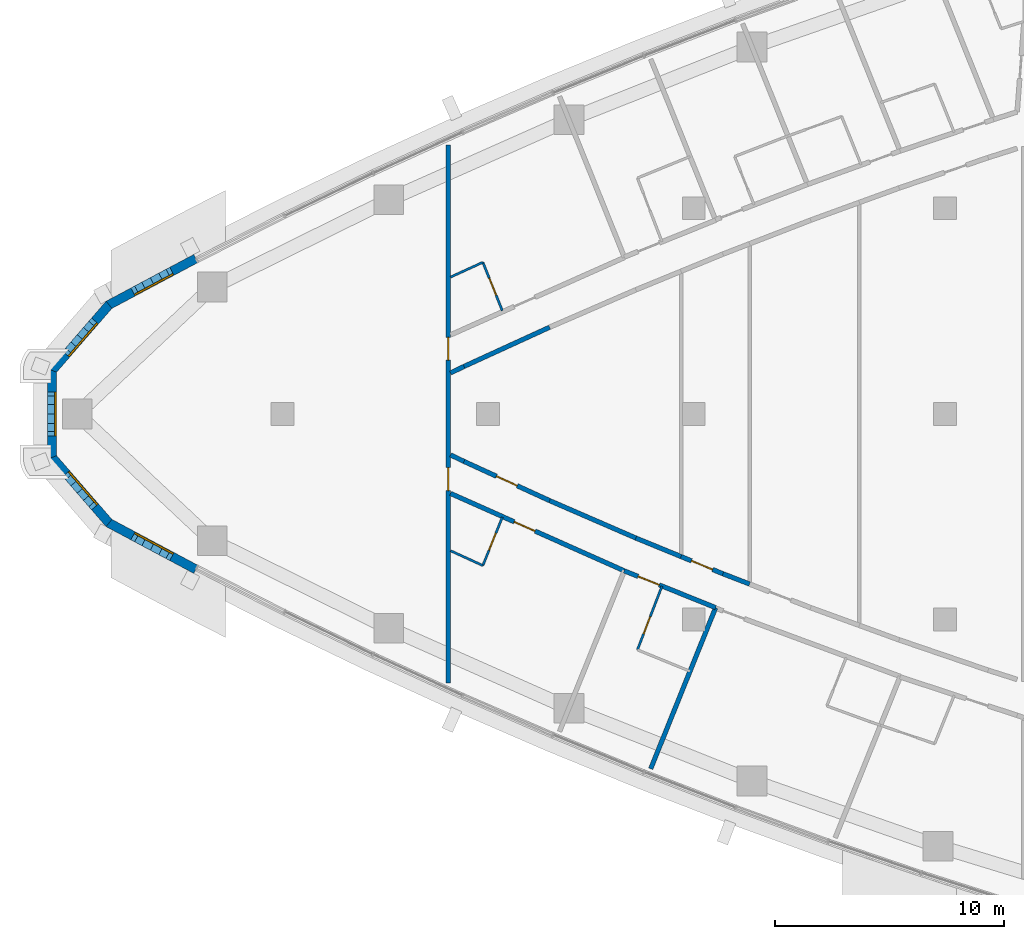
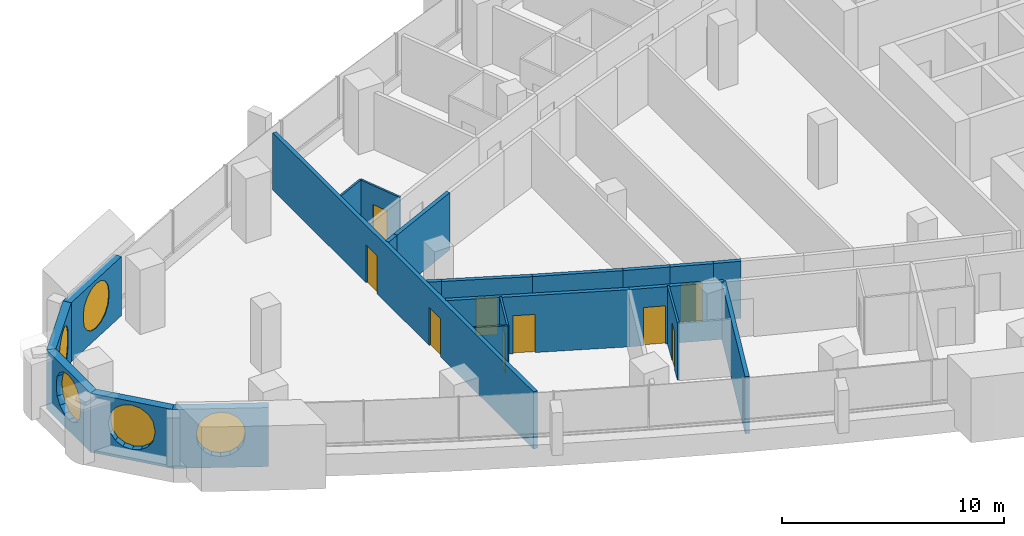
# One storey, part 9 of 17: 22 walls, 9 doors, 5 windows, 14 openings.
"""IFC4 building model written with IfcOpenShell, lengths in metres."""

from ifc_helpers import new_model, si_unit, direction, frame, frame_2d, origin, place, context, subcontext, project, spatial, polyline, rectangle, outline, extrude, material, layer, layer_set, type_object, element, fill, save


model = new_model("IFC4")

# Units and contexts
model_context = context("Model", 3, precision=1e-05, world=origin(), true_north=direction((0.0, 1.0)))
body_context = subcontext(model_context, "Body", "Model", "MODEL_VIEW")
ifc_project = project(units=[si_unit("LENGTHUNIT", "METRE"), si_unit("AREAUNIT", "SQUARE_METRE"), si_unit("VOLUMEUNIT", "CUBIC_METRE"), si_unit("PLANEANGLEUNIT", "RADIAN"), si_unit("MASSUNIT", "GRAM", prefix="KILO")], contexts=[model_context])

# Site, building, storey
site_placement = place(None, origin())
site = spatial("IfcSite", under=ifc_project, at=site_placement, CompositionType="ELEMENT")
building_placement = place(site_placement, origin())
building = spatial("IfcBuilding", under=site, at=building_placement, Name="Ostrand Prow Hotel Tower", CompositionType="ELEMENT")
storey_placement = place(building_placement, frame((0.0, 0.0, 207.449951171875)))
storey = spatial("IfcBuildingStorey", under=building, at=storey_placement, Name="L52", CompositionType="ELEMENT", Elevation=207.449951171875)

# Wall
ifc_material_1 = material(Name="Plasterboard partition")
ifc_layer_1 = layer(ifc_material_1, 0.10009765625)
ifc_layer_set_1 = layer_set([ifc_layer_1], Name="Plasterboard partition")
wall_type_1 = type_object("IfcWallType", Name="Partition 100 bathroom wall", PredefinedType="PARTITIONING", material=ifc_layer_set_1)
wall_1_placement = place(storey_placement, frame((23.35400390625, 5.9873046875, 0.0), z_axis=(0.0, 0.0, 1.0), x_axis=(0.909158902999, 0.416449383597, 0.0)))
element("IfcWall", 1, at=wall_1_placement, inside=storey, type_object=wall_type_1, Name="BATHROOM WALL", PredefinedType="PARTITIONING", context=body_context, shape_type="SweptSolid", body=[
    extrude(rectangle(XDim=1.555908203125, YDim=0.10009765625, at=frame_2d((0.77783203125, 0.0))), origin(), (0.0, 0.0, 1.0), 3.150146484375),
])

# Wall, opening, door
wall_2_placement = place(storey_placement, frame((24.7685546875, 6.635009765625, 0.0), z_axis=(0.0, 0.0, 1.0), x_axis=(0.373956446544, -0.927446265877, 0.0)))
wall_2 = element("IfcWall", 2, at=wall_2_placement, inside=storey, type_object=wall_type_1, Name="BATHROOM WALL", PredefinedType="PARTITIONING", context=body_context, shape_type="SweptSolid", body=[
    extrude(rectangle(XDim=2.279052734375, YDim=0.10009765625, at=frame_2d((1.1396484375, 0.0))), origin(), (0.0, 0.0, 1.0), 3.150146484375),
])
opening_1_placement = place(wall_2_placement, frame((0.75, 0.0, 0.0)))
opening_1 = element("IfcOpeningElement", 3, at=opening_1_placement, cuts=wall_2, Name="Opening D2", PredefinedType="OPENING", context=body_context, shape_type="SweptSolid", body=[
    extrude(rectangle(XDim=0.800048828125, YDim=2.10009765625, at=frame_2d((0.39990234375, 1.050048828125))), frame((0.0, 0.06005859375, 0.0), z_axis=(0.0, -1.0, 0.0), x_axis=(1.0, 0.0, 0.0)), (0.0, 0.0, 1.0), 0.1201171875),
])
ifc_material_2 = material(Name="Timber door leaf", Category="wood")
door_type_1 = type_object("IfcDoorType", Name="Bathroom door 800", OperationType="SINGLE_SWING_LEFT", PredefinedType="DOOR", material=ifc_material_2)
door_1_placement = place(opening_1_placement, origin())
door_1 = element("IfcDoor", 4, at=door_1_placement, inside=storey, type_object=door_type_1, Name="DOOR", OperationType="SINGLE_SWING_LEFT", OverallHeight=2.10009765625, OverallWidth=0.800048828125, PredefinedType="DOOR", context=body_context, shape_type="SweptSolid", body=[
    extrude(rectangle(XDim=0.800048828125, YDim=2.10009765625, at=frame_2d((0.39990234375, 1.050048828125))), frame((0.0, 0.02490234375, 0.0), z_axis=(0.0, -1.0, 0.0), x_axis=(1.0, 0.0, 0.0)), (0.0, 0.0, 1.0), 0.050048828125),
])
fill(opening_1, door_1)

wall_3_placement = place(storey_placement, frame((25.620849609375, -4.521240234375, 0.0), z_axis=(0.0, 0.0, 1.0), x_axis=(-0.373956446544, -0.927446265877, 0.0)))
wall_3 = element("IfcWall", 5, at=wall_3_placement, inside=storey, type_object=wall_type_1, Name="BATHROOM WALL", PredefinedType="PARTITIONING", context=body_context, shape_type="SweptSolid", body=[
    extrude(rectangle(XDim=2.279052734375, YDim=0.10009765625, at=frame_2d((1.1396484375, 0.0))), origin(), (0.0, 0.0, 1.0), 3.150146484375),
])
opening_2_placement = place(wall_3_placement, frame((0.75, 0.0, 0.0)))
opening_2 = element("IfcOpeningElement", 6, at=opening_2_placement, cuts=wall_3, Name="Opening D2", PredefinedType="OPENING", context=body_context, shape_type="SweptSolid", body=[
    extrude(rectangle(XDim=0.800048828125, YDim=2.10009765625, at=frame_2d((0.39990234375, 1.050048828125))), frame((0.0, 0.06005859375, 0.0), z_axis=(0.0, -1.0, 0.0), x_axis=(1.0, 0.0, 0.0)), (0.0, 0.0, 1.0), 0.1201171875),
])
door_2_placement = place(opening_2_placement, origin())
door_2 = element("IfcDoor", 7, at=door_2_placement, inside=storey, type_object=door_type_1, Name="DOOR", OperationType="SINGLE_SWING_LEFT", OverallHeight=2.10009765625, OverallWidth=0.800048828125, PredefinedType="DOOR", context=body_context, shape_type="SweptSolid", body=[
    extrude(rectangle(XDim=0.800048828125, YDim=2.10009765625, at=frame_2d((0.39990234375, 1.050048828125))), frame((0.0, 0.02490234375, 0.0), z_axis=(0.0, -1.0, 0.0), x_axis=(1.0, 0.0, 0.0)), (0.0, 0.0, 1.0), 0.050048828125),
])
fill(opening_2, door_2)

# Wall
wall_4_placement = place(storey_placement, frame((24.7685546875, -6.63525390625, 0.0), z_axis=(0.0, 0.0, 1.0), x_axis=(-0.909158902999, 0.416449383597, 0.0)))
element("IfcWall", 8, at=wall_4_placement, inside=storey, type_object=wall_type_1, Name="BATHROOM WALL", PredefinedType="PARTITIONING", context=body_context, shape_type="SweptSolid", body=[
    extrude(rectangle(XDim=1.555908203125, YDim=0.10009765625, at=frame_2d((0.77783203125, 0.0))), origin(), (0.0, 0.0, 1.0), 3.150146484375),
])

# Wall, opening, door
wall_5_placement = place(storey_placement, frame((31.53369140625, -10.322998046875, 0.0), z_axis=(0.0, 0.0, 1.0), x_axis=(0.359610255373, 0.933102601127, 0.0)))
wall_5 = element("IfcWall", 9, at=wall_5_placement, inside=storey, type_object=wall_type_1, Name="BATHROOM WALL", PredefinedType="PARTITIONING", context=body_context, shape_type="SweptSolid", body=[
    extrude(rectangle(XDim=2.98046875, YDim=0.10009765625, at=frame_2d((1.490234375, 0.0))), origin(), (0.0, 0.0, 1.0), 3.150146484375),
])
opening_3_placement = place(wall_5_placement, frame((0.75, 0.0, 0.0)))
opening_3 = element("IfcOpeningElement", 10, at=opening_3_placement, cuts=wall_5, Name="Opening D2", PredefinedType="OPENING", context=body_context, shape_type="SweptSolid", body=[
    extrude(rectangle(XDim=0.800048828125, YDim=2.10009765625, at=frame_2d((0.39990234375, 1.050048828125))), frame((0.0, 0.06005859375, 0.0), z_axis=(0.0, -1.0, 0.0), x_axis=(1.0, 0.0, 0.0)), (0.0, 0.0, 1.0), 0.1201171875),
])
door_3_placement = place(opening_3_placement, origin())
door_3 = element("IfcDoor", 11, at=door_3_placement, inside=storey, type_object=door_type_1, Name="DOOR", OperationType="SINGLE_SWING_LEFT", OverallHeight=2.10009765625, OverallWidth=0.800048828125, PredefinedType="DOOR", context=body_context, shape_type="SweptSolid", body=[
    extrude(rectangle(XDim=0.800048828125, YDim=2.10009765625, at=frame_2d((0.39990234375, 1.050048828125))), frame((0.0, 0.02490234375, 0.0), z_axis=(0.0, -1.0, 0.0), x_axis=(1.0, 0.0, 0.0)), (0.0, 0.0, 1.0), 0.050048828125),
])
fill(opening_3, door_3)

ifc_material_3 = material(Name="Plasterboard partition")
ifc_layer_2 = layer(ifc_material_3, 0.199951171875)
ifc_layer_set_2 = layer_set([ifc_layer_2], Name="Plasterboard partition")
wall_type_2 = type_object("IfcWallType", Name="Partition 200 corridor wall", PredefinedType="PARTITIONING", material=ifc_layer_set_2)
wall_6_placement = place(storey_placement, frame((23.35400390625, -3.4794921875, 0.0), z_axis=(0.0, 0.0, 1.0), x_axis=(0.913491969365, -0.406856758461, 0.0)))
wall_6 = element("IfcWall", 12, at=wall_6_placement, inside=storey, type_object=wall_type_2, Name="CORRIDOR WALL", PredefinedType="PARTITIONING", context=body_context, shape_type="SweptSolid", body=[
    extrude(rectangle(XDim=8.32421875, YDim=0.199951171875, at=frame_2d((4.162109375, 0.0))), origin(), (0.0, 0.0, 1.0), 3.150146484375),
])
opening_4_placement = place(wall_6_placement, frame((3.050048828125, 0.0, 0.0)))
opening_4 = element("IfcOpeningElement", 13, at=opening_4_placement, cuts=wall_6, Name="Opening D1", PredefinedType="OPENING", context=body_context, shape_type="SweptSolid", body=[
    extrude(rectangle(XDim=1.0, YDim=2.10009765625, at=frame_2d((0.5, 1.050048828125))), frame((0.0, 0.10986328125, 0.0), z_axis=(0.0, -1.0, 0.0), x_axis=(1.0, 0.0, 0.0)), (0.0, 0.0, 1.0), 0.219970703125),
])
ifc_material_4 = material(Name="Timber door leaf", Category="wood")
door_type_2 = type_object("IfcDoorType", Name="Guest room door 1000", OperationType="SINGLE_SWING_LEFT", PredefinedType="DOOR", material=ifc_material_4)
door_4_placement = place(opening_4_placement, origin())
door_4 = element("IfcDoor", 14, at=door_4_placement, inside=storey, type_object=door_type_2, Name="DOOR", OperationType="SINGLE_SWING_LEFT", OverallHeight=2.10009765625, OverallWidth=1.0, PredefinedType="DOOR", context=body_context, shape_type="SweptSolid", body=[
    extrude(rectangle(XDim=1.0, YDim=2.10009765625, at=frame_2d((0.5, 1.050048828125))), frame((0.0, 0.02490234375, 0.0), z_axis=(0.0, -1.0, 0.0), x_axis=(1.0, 0.0, 0.0)), (0.0, 0.0, 1.0), 0.050048828125),
])
fill(opening_4, door_4)

wall_7_placement = place(storey_placement, frame((30.9580078125, -6.8662109375, 0.0), z_axis=(0.0, 0.0, 1.0), x_axis=(0.927398695046, -0.374074404933, 0.0)))
wall_7 = element("IfcWall", 15, at=wall_7_placement, inside=storey, type_object=wall_type_2, Name="CORRIDOR WALL", PredefinedType="PARTITIONING", context=body_context, shape_type="SweptSolid", body=[
    extrude(rectangle(XDim=4.310791015625, YDim=0.199951171875, at=frame_2d((2.1552734375, 0.0))), origin(), (0.0, 0.0, 1.0), 3.150146484375),
])
opening_5_placement = place(wall_7_placement, frame((0.64990234375, 0.0, 0.0)))
opening_5 = element("IfcOpeningElement", 16, at=opening_5_placement, cuts=wall_7, Name="Opening D1", PredefinedType="OPENING", context=body_context, shape_type="SweptSolid", body=[
    extrude(rectangle(XDim=1.0, YDim=2.10009765625, at=frame_2d((0.5, 1.050048828125))), frame((0.0, 0.10986328125, 0.0), z_axis=(0.0, -1.0, 0.0), x_axis=(1.0, 0.0, 0.0)), (0.0, 0.0, 1.0), 0.219970703125),
])
door_5_placement = place(opening_5_placement, origin())
door_5 = element("IfcDoor", 17, at=door_5_placement, inside=storey, type_object=door_type_2, Name="DOOR", OperationType="SINGLE_SWING_LEFT", OverallHeight=2.10009765625, OverallWidth=1.0, PredefinedType="DOOR", context=body_context, shape_type="SweptSolid", body=[
    extrude(rectangle(XDim=1.0, YDim=2.10009765625, at=frame_2d((0.5, 1.050048828125))), frame((0.0, 0.02490234375, 0.0), z_axis=(0.0, -1.0, 0.0), x_axis=(1.0, 0.0, 0.0)), (0.0, 0.0, 1.0), 0.050048828125),
])
fill(opening_5, door_5)

wall_8_placement = place(storey_placement, frame((27.689697265625, -3.79345703125, 0.0), z_axis=(0.0, 0.0, 1.0), x_axis=(-0.909180834404, 0.416401501382, 0.0)))
wall_8 = element("IfcWall", 18, at=wall_8_placement, inside=storey, type_object=wall_type_2, Name="CORRIDOR WALL", PredefinedType="PARTITIONING", context=body_context, shape_type="SweptSolid", body=[
    extrude(rectangle(XDim=4.1171875, YDim=0.199951171875, at=frame_2d((2.05859375, 0.0))), origin(), (0.0, 0.0, 1.0), 3.150146484375),
])
opening_6_placement = place(wall_8_placement, frame((1.55859375, 0.0, 0.0)))
opening_6 = element("IfcOpeningElement", 19, at=opening_6_placement, cuts=wall_8, Name="Opening D1R", PredefinedType="OPENING", context=body_context, shape_type="SweptSolid", body=[
    extrude(rectangle(XDim=1.0, YDim=2.10009765625, at=frame_2d((0.5, 1.050048828125))), frame((0.0, 0.10986328125, 0.0), z_axis=(0.0, -1.0, 0.0), x_axis=(1.0, 0.0, 0.0)), (0.0, 0.0, 1.0), 0.219970703125),
])
ifc_material_5 = material(Name="Timber door leaf", Category="wood")
door_type_3 = type_object("IfcDoorType", Name="Guest room door 1000 right", OperationType="SINGLE_SWING_RIGHT", PredefinedType="DOOR", material=ifc_material_5)
door_6_placement = place(opening_6_placement, origin())
door_6 = element("IfcDoor", 20, at=door_6_placement, inside=storey, type_object=door_type_3, Name="DOOR", OperationType="SINGLE_SWING_RIGHT", OverallHeight=2.10009765625, OverallWidth=1.0, PredefinedType="DOOR", context=body_context, shape_type="SweptSolid", body=[
    extrude(rectangle(XDim=1.0, YDim=2.10009765625, at=frame_2d((0.5, 1.050048828125))), frame((0.0, 0.02490234375, 0.0), z_axis=(0.0, -1.0, 0.0), x_axis=(1.0, 0.0, 0.0)), (0.0, 0.0, 1.0), 0.050048828125),
])
fill(opening_6, door_6)

# Walls
wall_9_placement = place(storey_placement, frame((33.44140625, -6.241943359375, 0.0), z_axis=(0.0, 0.0, 1.0), x_axis=(-0.925231428595, 0.379403220256, 0.0)))
element("IfcWall", 21, at=wall_9_placement, inside=storey, type_object=wall_type_2, Name="CORRIDOR WALL", PredefinedType="PARTITIONING", context=body_context, shape_type="SweptSolid", body=[
    extrude(rectangle(XDim=2.134521484375, YDim=0.199951171875, at=frame_2d((1.0673828125, 0.0))), origin(), (0.0, 0.0, 1.0), 3.150146484375),
])
wall_10_placement = place(storey_placement, frame((31.466552734375, -5.43212890625, 0.0), z_axis=(0.0, 0.0, 1.0), x_axis=(-0.917375244839, 0.398023441717, 0.0)))
element("IfcWall", 22, at=wall_10_placement, inside=storey, type_object=wall_type_2, Name="CORRIDOR WALL", PredefinedType="PARTITIONING", context=body_context, shape_type="SweptSolid", body=[
    extrude(rectangle(XDim=4.116943359375, YDim=0.199951171875, at=frame_2d((2.05859375, 0.0))), origin(), (0.0, 0.0, 1.0), 3.150146484375),
])
for number, where, z_axis, x_axis, name in (
    (23, (23.946533203125, -2.0791015625, 0.0), (0.0, 0.0, 1.0), (-0.900646803965, 0.434551877809, 0.0), "CORRIDOR WALL"),
    (24, (23.35400390625, 1.793212890625, 0.0), (0.0, 0.0, 1.0), (0.900646803965, 0.434551877809, 0.0), "CORRIDOR WALL"),
):
    element("IfcWall", number, at=place(storey_placement, frame(where, z_axis=z_axis, x_axis=x_axis)), inside=storey, type_object=wall_type_2, Name=name, PredefinedType="PARTITIONING", context=body_context, shape_type="SweptSolid", body=[
        extrude(rectangle(XDim=0.657958984375, YDim=0.199951171875, at=frame_2d((0.3291015625, 0.0))), origin(), (0.0, 0.0, 1.0), 3.150146484375),
    ])
wall_11_placement = place(storey_placement, frame((23.946533203125, 2.0791015625, 0.0), z_axis=(0.0, 0.0, 1.0), x_axis=(0.909180834404, 0.416401501382, 0.0)))
element("IfcWall", 25, at=wall_11_placement, inside=storey, type_object=wall_type_2, Name="CORRIDOR WALL", PredefinedType="PARTITIONING", context=body_context, shape_type="SweptSolid", body=[
    extrude(rectangle(XDim=4.1171875, YDim=0.199951171875, at=frame_2d((2.05859375, 0.0))), origin(), (0.0, 0.0, 1.0), 3.150146484375),
])

# Wall, opening, door
wall_12_placement = place(storey_placement, frame((35.275634765625, -6.994384765625, 0.0), z_axis=(0.0, 0.0, 1.0), x_axis=(-0.925179705777, 0.379529329589, 0.0)))
wall_12 = element("IfcWall", 26, at=wall_12_placement, inside=storey, type_object=wall_type_2, Name="CORRIDOR WALL", PredefinedType="PARTITIONING", context=body_context, shape_type="SweptSolid", body=[
    extrude(rectangle(XDim=1.982666015625, YDim=0.199951171875, at=frame_2d((0.9912109375, 0.0))), origin(), (0.0, 0.0, 1.0), 3.150146484375),
])
opening_7_placement = place(wall_12_placement, frame((0.4912109375, 0.0, 0.0)))
opening_7 = element("IfcOpeningElement", 27, at=opening_7_placement, cuts=wall_12, Name="Opening D1", PredefinedType="OPENING", context=body_context, shape_type="SweptSolid", body=[
    extrude(rectangle(XDim=1.0, YDim=2.10009765625, at=frame_2d((0.5, 1.050048828125))), frame((0.0, 0.10986328125, 0.0), z_axis=(0.0, -1.0, 0.0), x_axis=(1.0, 0.0, 0.0)), (0.0, 0.0, 1.0), 0.219970703125),
])
door_7_placement = place(opening_7_placement, origin())
door_7 = element("IfcDoor", 28, at=door_7_placement, inside=storey, type_object=door_type_2, Name="DOOR", OperationType="SINGLE_SWING_LEFT", OverallHeight=2.10009765625, OverallWidth=1.0, PredefinedType="DOOR", context=body_context, shape_type="SweptSolid", body=[
    extrude(rectangle(XDim=1.0, YDim=2.10009765625, at=frame_2d((0.5, 1.050048828125))), frame((0.0, 0.02490234375, 0.0), z_axis=(0.0, -1.0, 0.0), x_axis=(1.0, 0.0, 0.0)), (0.0, 0.0, 1.0), 0.050048828125),
])
fill(opening_7, door_7)

# Walls
wall_13_placement = place(storey_placement, frame((36.44140625, -7.445068359375, 0.0), z_axis=(0.0, 0.0, 1.0), x_axis=(-0.932724985261, 0.360588549276, 0.0)))
element("IfcWall", 29, at=wall_13_placement, inside=storey, type_object=wall_type_2, Name="CORRIDOR WALL", PredefinedType="PARTITIONING", context=body_context, shape_type="SweptSolid", body=[
    extrude(rectangle(XDim=1.249755859375, YDim=0.199951171875, at=frame_2d((0.625, 0.0))), origin(), (0.0, 0.0, 1.0), 3.150146484375),
])
ifc_material_6 = material(Name="Plasterboard partition")
ifc_layer_3 = layer(ifc_material_6, 0.199951171875)
ifc_layer_set_3 = layer_set([ifc_layer_3], Name="Plasterboard partition")
wall_type_3 = type_object("IfcWallType", Name="Partition 200 key partition", PredefinedType="PARTITIONING", material=ifc_layer_set_3)
wall_14_placement = place(storey_placement, frame((32.114013671875, -15.5283203125, 0.0), z_axis=(0.0, 0.0, 1.0), x_axis=(0.373881438439, 0.927476506436, 0.0)))
element("IfcWall", 30, at=wall_14_placement, inside=storey, type_object=wall_type_3, Name="KEY PARTITION", PredefinedType="PARTITIONING", context=body_context, shape_type="SweptSolid", body=[
    extrude(rectangle(XDim=7.600830078125, YDim=0.199951171875, at=frame_2d((3.80029296875, 0.0))), origin(), (0.0, 0.0, 1.0), 3.150146484375),
])

# Wall, openings, doors
ifc_material_7 = material(Name="Plasterboard partition")
ifc_layer_4 = layer(ifc_material_7, 0.199951171875)
ifc_layer_set_4 = layer_set([ifc_layer_4], Name="Plasterboard partition")
wall_type_4 = type_object("IfcWallType", Name="Partition 200 lounge wall", PredefinedType="PARTITIONING", material=ifc_layer_set_4)
wall_15_placement = place(storey_placement, frame((23.25390625, -11.77099609375, 0.0), z_axis=(0.0, 0.0, 1.0), x_axis=(0.0, 1.0, 0.0)))
wall_15 = element("IfcWall", 31, at=wall_15_placement, inside=storey, type_object=wall_type_4, Name="LOUNGE WALL", PredefinedType="PARTITIONING", context=body_context, shape_type="SweptSolid", body=[
    extrude(rectangle(XDim=23.5419921875, YDim=0.199951171875, at=frame_2d((11.77099609375, 0.0))), origin(), (0.0, 0.0, 1.0), 3.150146484375),
])
opening_8_placement = place(wall_15_placement, frame((14.125, 0.0, 0.0)))
opening_8 = element("IfcOpeningElement", 32, at=opening_8_placement, cuts=wall_15, Name="Opening D1", PredefinedType="OPENING", context=body_context, shape_type="SweptSolid", body=[
    extrude(rectangle(XDim=1.0, YDim=2.10009765625, at=frame_2d((0.5, 1.050048828125))), frame((0.0, 0.10986328125, 0.0), z_axis=(0.0, -1.0, 0.0), x_axis=(1.0, 0.0, 0.0)), (0.0, 0.0, 1.0), 0.219970703125),
])
opening_9_placement = place(wall_15_placement, frame((8.4169921875, 0.0, 0.0)))
opening_9 = element("IfcOpeningElement", 33, at=opening_9_placement, cuts=wall_15, Name="Opening D1R", PredefinedType="OPENING", context=body_context, shape_type="SweptSolid", body=[
    extrude(rectangle(XDim=1.0, YDim=2.10009765625, at=frame_2d((0.5, 1.050048828125))), frame((0.0, 0.10986328125, 0.0), z_axis=(0.0, -1.0, 0.0), x_axis=(1.0, 0.0, 0.0)), (0.0, 0.0, 1.0), 0.219970703125),
])
door_8_placement = place(opening_8_placement, origin())
door_8 = element("IfcDoor", 34, at=door_8_placement, inside=storey, type_object=door_type_2, Name="DOOR", OperationType="SINGLE_SWING_LEFT", OverallHeight=2.10009765625, OverallWidth=1.0, PredefinedType="DOOR", context=body_context, shape_type="SweptSolid", body=[
    extrude(rectangle(XDim=1.0, YDim=2.10009765625, at=frame_2d((0.5, 1.050048828125))), frame((0.0, 0.02490234375, 0.0), z_axis=(0.0, -1.0, 0.0), x_axis=(1.0, 0.0, 0.0)), (0.0, 0.0, 1.0), 0.050048828125),
])
fill(opening_8, door_8)
door_9_placement = place(opening_9_placement, origin())
door_9 = element("IfcDoor", 35, at=door_9_placement, inside=storey, type_object=door_type_3, Name="DOOR", OperationType="SINGLE_SWING_RIGHT", OverallHeight=2.10009765625, OverallWidth=1.0, PredefinedType="DOOR", context=body_context, shape_type="SweptSolid", body=[
    extrude(rectangle(XDim=1.0, YDim=2.10009765625, at=frame_2d((0.5, 1.050048828125))), frame((0.0, 0.02490234375, 0.0), z_axis=(0.0, -1.0, 0.0), x_axis=(1.0, 0.0, 0.0)), (0.0, 0.0, 1.0), 0.050048828125),
])
fill(opening_9, door_9)

# Wall, opening, window
ifc_material_8 = material(Name="Precast concrete C40/50", Category="concrete")
ifc_layer_5 = layer(ifc_material_8, 0.39990234375)
ifc_layer_set_5 = layer_set([ifc_layer_5], Name="Precast concrete C40/50")
wall_type_5 = type_object("IfcWallType", Name="Stone-faced precast wall 400 mm", PredefinedType="NOTDEFINED", material=ifc_layer_set_5)
wall_16_placement = place(storey_placement, frame((12.209716796875, 6.801025390625, 0.0), z_axis=(0.0, 0.0, 1.0), x_axis=(-0.882385889746, -0.470526451518, 0.0)))
wall_16 = element("IfcWall", 36, at=wall_16_placement, inside=storey, type_object=wall_type_5, Name="Stone-faced wall prow 1", PredefinedType="NOTDEFINED", context=body_context, shape_type="SweptSolid", body=[
    extrude(outline(polyline([(0.0, -0.199951171875), (4.34423828125, -0.199951171875), (4.27001953125, 0.199951171875), (0.0, 0.199951171875), (0.0, -0.199951171875)])), origin(), (0.0, 0.0, 1.0), 3.25),
])
opening_10_placement = place(wall_16_placement, frame((1.053466796875, 0.0, 0.60009765625)))
opening_10 = element("IfcOpeningElement", 37, at=opening_10_placement, cuts=wall_16, Name="Opening WP1", PredefinedType="OPENING", context=body_context, shape_type="SweptSolid", body=[
    extrude(outline(polyline([(0.0, 1.35009765625), (0.083740234375, 1.77099609375), (0.322265625, 2.127685546875), (0.678955078125, 2.3662109375), (1.10009765625, 2.449951171875), (1.52099609375, 2.3662109375), (1.877685546875, 2.127685546875), (2.1162109375, 1.77099609375), (2.199951171875, 1.35009765625), (2.199951171875, 1.10009765625), (2.1162109375, 0.678955078125), (1.877685546875, 0.322265625), (1.52099609375, 0.083740234375), (1.10009765625, 0.0), (0.678955078125, 0.083740234375), (0.322265625, 0.322265625), (0.083740234375, 0.678955078125), (0.0, 1.099853515625), (0.0, 1.35009765625)])), frame((0.0, 0.2099609375, 0.0), z_axis=(0.0, -1.0, 0.0), x_axis=(1.0, 0.0, 0.0)), (0.0, 0.0, 1.0), 0.419921875),
])
ifc_material_9 = material(Name="Insulated glass in bronze frame", Category="glass")
window_type = type_object("IfcWindowType", Name="Round-ended prow window 2200x2450", PartitioningType="SINGLE_PANEL", PredefinedType="WINDOW", material=ifc_material_9)
window_1_placement = place(opening_10_placement, origin())
window_1 = element("IfcWindow", 38, at=window_1_placement, inside=storey, type_object=window_type, Name="Window prow 1.1", OverallHeight=2.449951171875, OverallWidth=2.199951171875, PartitioningType="SINGLE_PANEL", PredefinedType="WINDOW", context=body_context, shape_type="SweptSolid", body=[
    extrude(outline(polyline([(0.0, 1.35009765625), (0.083740234375, 1.77099609375), (0.322265625, 2.127685546875), (0.678955078125, 2.3662109375), (1.10009765625, 2.449951171875), (1.52099609375, 2.3662109375), (1.877685546875, 2.127685546875), (2.1162109375, 1.77099609375), (2.199951171875, 1.35009765625), (2.199951171875, 1.10009765625), (2.1162109375, 0.678955078125), (1.877685546875, 0.322265625), (1.52099609375, 0.083740234375), (1.10009765625, 0.0), (0.678955078125, 0.083740234375), (0.322265625, 0.322265625), (0.083740234375, 0.678955078125), (0.0, 1.099853515625), (0.0, 1.35009765625)])), frame((0.0, 0.169921875, 0.0), z_axis=(0.0, -1.0, 0.0), x_axis=(1.0, 0.0, 0.0)), (0.0, 0.0, 1.0), 0.06005859375),
])
fill(opening_10, window_1)

wall_17_placement = place(storey_placement, frame((8.4091796875, 4.7744140625, 0.0), z_axis=(0.0, 0.0, 1.0), x_axis=(-0.654759384203, -0.755837382509, 0.0)))
wall_17 = element("IfcWall", 39, at=wall_17_placement, inside=storey, type_object=wall_type_5, Name="Stone-faced wall prow 2", PredefinedType="NOTDEFINED", context=body_context, shape_type="SweptSolid", body=[
    extrude(outline(polyline([(-0.037109375, -0.199951171875), (3.87646484375, -0.199951171875), (3.72705078125, 0.199951171875), (0.037109375, 0.199951171875), (-0.037109375, -0.199951171875)])), origin(), (0.0, 0.0, 1.0), 3.25),
])
opening_11_placement = place(wall_17_placement, frame((0.80078125, 0.0, 0.60009765625)))
opening_11 = element("IfcOpeningElement", 40, at=opening_11_placement, cuts=wall_17, Name="Opening WP1", PredefinedType="OPENING", context=body_context, shape_type="SweptSolid", body=[
    extrude(outline(polyline([(0.0, 1.35009765625), (0.083740234375, 1.77099609375), (0.322265625, 2.127685546875), (0.678955078125, 2.3662109375), (1.10009765625, 2.449951171875), (1.52099609375, 2.3662109375), (1.877685546875, 2.127685546875), (2.1162109375, 1.77099609375), (2.199951171875, 1.35009765625), (2.199951171875, 1.10009765625), (2.1162109375, 0.678955078125), (1.877685546875, 0.322265625), (1.52099609375, 0.083740234375), (1.10009765625, 0.0), (0.678955078125, 0.083740234375), (0.322265625, 0.322265625), (0.083740234375, 0.678955078125), (0.0, 1.099853515625), (0.0, 1.35009765625)])), frame((0.0, 0.2099609375, 0.0), z_axis=(0.0, -1.0, 0.0), x_axis=(1.0, 0.0, 0.0)), (0.0, 0.0, 1.0), 0.419921875),
])
window_2_placement = place(opening_11_placement, origin())
window_2 = element("IfcWindow", 41, at=window_2_placement, inside=storey, type_object=window_type, Name="Window prow 2.1", OverallHeight=2.449951171875, OverallWidth=2.199951171875, PartitioningType="SINGLE_PANEL", PredefinedType="WINDOW", context=body_context, shape_type="SweptSolid", body=[
    extrude(outline(polyline([(0.0, 1.35009765625), (0.083740234375, 1.77099609375), (0.322265625, 2.127685546875), (0.678955078125, 2.3662109375), (1.10009765625, 2.449951171875), (1.52099609375, 2.3662109375), (1.877685546875, 2.127685546875), (2.1162109375, 1.77099609375), (2.199951171875, 1.35009765625), (2.199951171875, 1.10009765625), (2.1162109375, 0.678955078125), (1.877685546875, 0.322265625), (1.52099609375, 0.083740234375), (1.10009765625, 0.0), (0.678955078125, 0.083740234375), (0.322265625, 0.322265625), (0.083740234375, 0.678955078125), (0.0, 1.099853515625), (0.0, 1.35009765625)])), frame((0.0, 0.169921875, 0.0), z_axis=(0.0, -1.0, 0.0), x_axis=(1.0, 0.0, 0.0)), (0.0, 0.0, 1.0), 0.06005859375),
])
fill(opening_11, window_2)

wall_18_placement = place(storey_placement, frame((5.919921875, 1.90087890625, 0.0), z_axis=(0.0, 0.0, 1.0), x_axis=(0.0, -1.0, 0.0)))
wall_18 = element("IfcWall", 42, at=wall_18_placement, inside=storey, type_object=wall_type_5, Name="Stone-faced wall prow 3", PredefinedType="NOTDEFINED", context=body_context, shape_type="SweptSolid", body=[
    extrude(outline(polyline([(-0.07470703125, -0.199951171875), (3.87646484375, -0.199951171875), (3.72705078125, 0.199951171875), (0.07470703125, 0.199951171875), (-0.07470703125, -0.199951171875)])), origin(), (0.0, 0.0, 1.0), 3.25),
])
opening_12_placement = place(wall_18_placement, frame((0.80078125, 0.0, 0.60009765625)))
opening_12 = element("IfcOpeningElement", 43, at=opening_12_placement, cuts=wall_18, Name="Opening WP1", PredefinedType="OPENING", context=body_context, shape_type="SweptSolid", body=[
    extrude(outline(polyline([(0.0, 1.35009765625), (0.083740234375, 1.77099609375), (0.322265625, 2.127685546875), (0.678955078125, 2.3662109375), (1.10009765625, 2.449951171875), (1.52099609375, 2.3662109375), (1.877685546875, 2.127685546875), (2.1162109375, 1.77099609375), (2.199951171875, 1.35009765625), (2.199951171875, 1.10009765625), (2.1162109375, 0.678955078125), (1.877685546875, 0.322265625), (1.52099609375, 0.083740234375), (1.10009765625, 0.0), (0.678955078125, 0.083740234375), (0.322265625, 0.322265625), (0.083740234375, 0.678955078125), (0.0, 1.099853515625), (0.0, 1.35009765625)])), frame((0.0, 0.2099609375, 0.0), z_axis=(0.0, -1.0, 0.0), x_axis=(1.0, 0.0, 0.0)), (0.0, 0.0, 1.0), 0.419921875),
])
window_3_placement = place(opening_12_placement, origin())
window_3 = element("IfcWindow", 44, at=window_3_placement, inside=storey, type_object=window_type, Name="Window prow 3.1", OverallHeight=2.449951171875, OverallWidth=2.199951171875, PartitioningType="SINGLE_PANEL", PredefinedType="WINDOW", context=body_context, shape_type="SweptSolid", body=[
    extrude(outline(polyline([(0.0, 1.35009765625), (0.083740234375, 1.77099609375), (0.322265625, 2.127685546875), (0.678955078125, 2.3662109375), (1.10009765625, 2.449951171875), (1.52099609375, 2.3662109375), (1.877685546875, 2.127685546875), (2.1162109375, 1.77099609375), (2.199951171875, 1.35009765625), (2.199951171875, 1.10009765625), (2.1162109375, 0.678955078125), (1.877685546875, 0.322265625), (1.52099609375, 0.083740234375), (1.10009765625, 0.0), (0.678955078125, 0.083740234375), (0.322265625, 0.322265625), (0.083740234375, 0.678955078125), (0.0, 1.099853515625), (0.0, 1.35009765625)])), frame((0.0, 0.169921875, 0.0), z_axis=(0.0, -1.0, 0.0), x_axis=(1.0, 0.0, 0.0)), (0.0, 0.0, 1.0), 0.06005859375),
])
fill(opening_12, window_3)

wall_19_placement = place(storey_placement, frame((5.919921875, -1.90087890625, 0.0), z_axis=(0.0, 0.0, 1.0), x_axis=(0.654759384203, -0.755837382509, 0.0)))
wall_19 = element("IfcWall", 45, at=wall_19_placement, inside=storey, type_object=wall_type_5, Name="Stone-faced wall prow 4", PredefinedType="NOTDEFINED", context=body_context, shape_type="SweptSolid", body=[
    extrude(outline(polyline([(-0.07470703125, -0.199951171875), (3.8388671875, -0.199951171875), (3.7646484375, 0.199951171875), (0.07470703125, 0.199951171875), (-0.07470703125, -0.199951171875)])), origin(), (0.0, 0.0, 1.0), 3.25),
])
opening_13_placement = place(wall_19_placement, frame((0.80078125, 0.0, 0.60009765625)))
opening_13 = element("IfcOpeningElement", 46, at=opening_13_placement, cuts=wall_19, Name="Opening WP1", PredefinedType="OPENING", context=body_context, shape_type="SweptSolid", body=[
    extrude(outline(polyline([(0.0, 1.35009765625), (0.083740234375, 1.77099609375), (0.322265625, 2.127685546875), (0.678955078125, 2.3662109375), (1.10009765625, 2.449951171875), (1.52099609375, 2.3662109375), (1.877685546875, 2.127685546875), (2.1162109375, 1.77099609375), (2.199951171875, 1.35009765625), (2.199951171875, 1.10009765625), (2.1162109375, 0.678955078125), (1.877685546875, 0.322265625), (1.52099609375, 0.083740234375), (1.10009765625, 0.0), (0.678955078125, 0.083740234375), (0.322265625, 0.322265625), (0.083740234375, 0.678955078125), (0.0, 1.099853515625), (0.0, 1.35009765625)])), frame((0.0, 0.2099609375, 0.0), z_axis=(0.0, -1.0, 0.0), x_axis=(1.0, 0.0, 0.0)), (0.0, 0.0, 1.0), 0.419921875),
])
window_4_placement = place(opening_13_placement, origin())
window_4 = element("IfcWindow", 47, at=window_4_placement, inside=storey, type_object=window_type, Name="Window prow 4.1", OverallHeight=2.449951171875, OverallWidth=2.199951171875, PartitioningType="SINGLE_PANEL", PredefinedType="WINDOW", context=body_context, shape_type="SweptSolid", body=[
    extrude(outline(polyline([(0.0, 1.35009765625), (0.083740234375, 1.77099609375), (0.322265625, 2.127685546875), (0.678955078125, 2.3662109375), (1.10009765625, 2.449951171875), (1.52099609375, 2.3662109375), (1.877685546875, 2.127685546875), (2.1162109375, 1.77099609375), (2.199951171875, 1.35009765625), (2.199951171875, 1.10009765625), (2.1162109375, 0.678955078125), (1.877685546875, 0.322265625), (1.52099609375, 0.083740234375), (1.10009765625, 0.0), (0.678955078125, 0.083740234375), (0.322265625, 0.322265625), (0.083740234375, 0.678955078125), (0.0, 1.099853515625), (0.0, 1.35009765625)])), frame((0.0, 0.169921875, 0.0), z_axis=(0.0, -1.0, 0.0), x_axis=(1.0, 0.0, 0.0)), (0.0, 0.0, 1.0), 0.06005859375),
])
fill(opening_13, window_4)

wall_20_placement = place(storey_placement, frame((8.4091796875, -4.7744140625, 0.0), z_axis=(0.0, 0.0, 1.0), x_axis=(0.882385889746, -0.470526451518, 0.0)))
wall_20 = element("IfcWall", 48, at=wall_20_placement, inside=storey, type_object=wall_type_5, Name="Stone-faced wall prow 5", PredefinedType="NOTDEFINED", context=body_context, shape_type="SweptSolid", body=[
    extrude(outline(polyline([(-0.037109375, -0.199951171875), (4.30712890625, -0.199951171875), (4.30712890625, 0.199951171875), (0.037109375, 0.199951171875), (-0.037109375, -0.199951171875)])), origin(), (0.0, 0.0, 1.0), 3.25),
])
opening_14_placement = place(wall_20_placement, frame((1.053466796875, 0.0, 0.60009765625)))
opening_14 = element("IfcOpeningElement", 49, at=opening_14_placement, cuts=wall_20, Name="Opening WP1", PredefinedType="OPENING", context=body_context, shape_type="SweptSolid", body=[
    extrude(outline(polyline([(0.0, 1.35009765625), (0.083740234375, 1.77099609375), (0.322265625, 2.127685546875), (0.678955078125, 2.3662109375), (1.10009765625, 2.449951171875), (1.52099609375, 2.3662109375), (1.877685546875, 2.127685546875), (2.1162109375, 1.77099609375), (2.199951171875, 1.35009765625), (2.199951171875, 1.10009765625), (2.1162109375, 0.678955078125), (1.877685546875, 0.322265625), (1.52099609375, 0.083740234375), (1.10009765625, 0.0), (0.678955078125, 0.083740234375), (0.322265625, 0.322265625), (0.083740234375, 0.678955078125), (0.0, 1.099853515625), (0.0, 1.35009765625)])), frame((0.0, 0.2099609375, 0.0), z_axis=(0.0, -1.0, 0.0), x_axis=(1.0, 0.0, 0.0)), (0.0, 0.0, 1.0), 0.419921875),
])
window_5_placement = place(opening_14_placement, origin())
window_5 = element("IfcWindow", 50, at=window_5_placement, inside=storey, type_object=window_type, Name="Window prow 5.1", OverallHeight=2.449951171875, OverallWidth=2.199951171875, PartitioningType="SINGLE_PANEL", PredefinedType="WINDOW", context=body_context, shape_type="SweptSolid", body=[
    extrude(outline(polyline([(0.0, 1.35009765625), (0.083740234375, 1.77099609375), (0.322265625, 2.127685546875), (0.678955078125, 2.3662109375), (1.10009765625, 2.449951171875), (1.52099609375, 2.3662109375), (1.877685546875, 2.127685546875), (2.1162109375, 1.77099609375), (2.199951171875, 1.35009765625), (2.199951171875, 1.10009765625), (2.1162109375, 0.678955078125), (1.877685546875, 0.322265625), (1.52099609375, 0.083740234375), (1.10009765625, 0.0), (0.678955078125, 0.083740234375), (0.322265625, 0.322265625), (0.083740234375, 0.678955078125), (0.0, 1.099853515625), (0.0, 1.35009765625)])), frame((0.0, 0.169921875, 0.0), z_axis=(0.0, -1.0, 0.0), x_axis=(1.0, 0.0, 0.0)), (0.0, 0.0, 1.0), 0.06005859375),
])
fill(opening_14, window_5)

save(model, "model.ifc")
